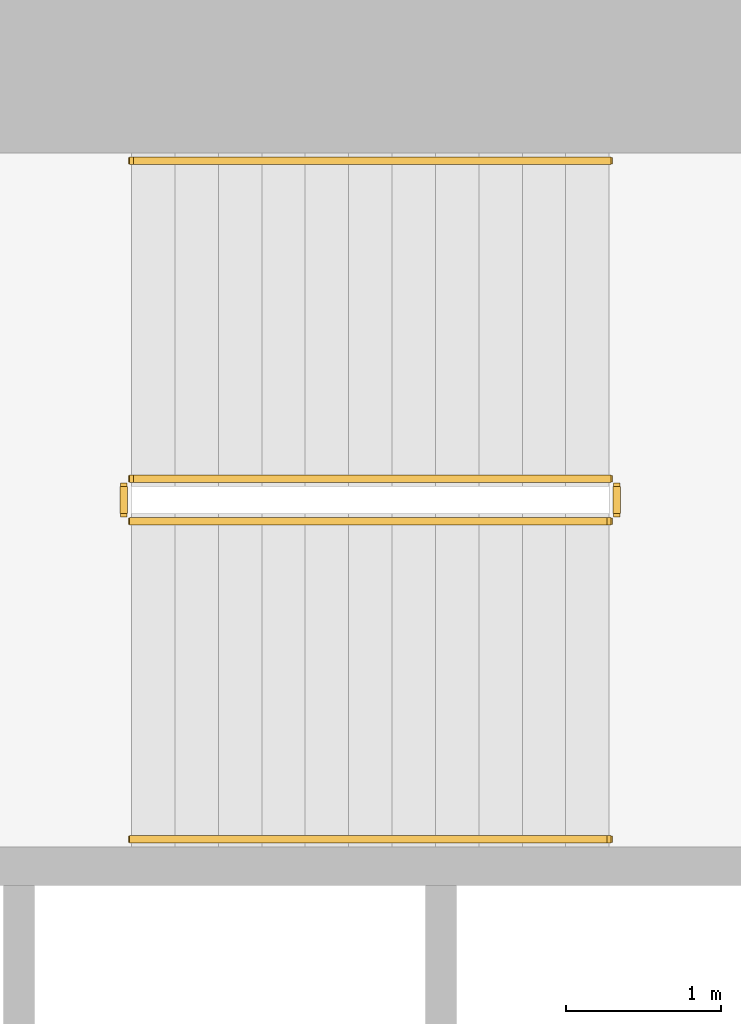
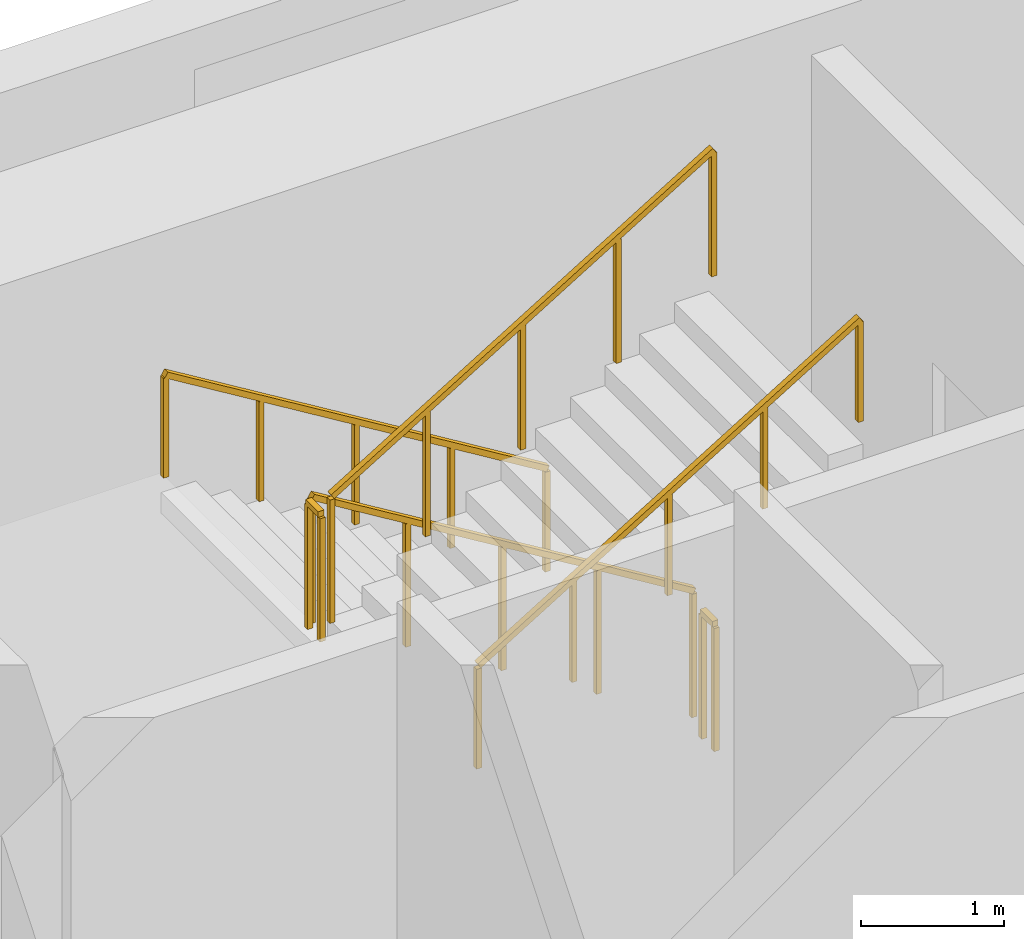
# One storey, part 13 of 14: 6 railings.
"""IFC4 building model written with IfcOpenShell, lengths in metres."""

from ifc_helpers import new_model, si_unit, direction, frame, origin, origin_2d, place, context, subcontext, project, spatial, rectangle, extrude, material, type_object, element, save


model = new_model("IFC4")

# Units and contexts
model_context = context("Model", 3, precision=1e-05, world=origin(), true_north=direction((0.0, 1.0)))
body_context = subcontext(model_context, "Body", "Model", "MODEL_VIEW")
ifc_project = project(units=[si_unit("LENGTHUNIT", "METRE"), si_unit("AREAUNIT", "SQUARE_METRE"), si_unit("VOLUMEUNIT", "CUBIC_METRE"), si_unit("PLANEANGLEUNIT", "RADIAN"), si_unit("MASSUNIT", "GRAM", prefix="KILO")], contexts=[model_context])

# Site, building, storey
site_placement = place(None, origin())
site = spatial("IfcSite", under=ifc_project, at=site_placement, CompositionType="ELEMENT")
building_placement = place(site_placement, origin())
building = spatial("IfcBuilding", under=site, at=building_placement, Name="Cypress Arch Tower", CompositionType="ELEMENT")
storey_placement = place(building_placement, frame((0.0, 0.0, 284.39990234375)))
storey = spatial("IfcBuildingStorey", under=building, at=storey_placement, Name="L64", CompositionType="ELEMENT", Elevation=284.39990234375)

# Railings
ifc_material_1 = material(Name="Black powder-coated steel square bar 48 mm", Category="steel")
railing_type_1 = type_object("IfcRailingType", Name="Stair handrail HR1", PredefinedType="HANDRAIL", material=ifc_material_1)
railing_1_placement = place(storey_placement, frame((-22.27490234375, 14.75, 0.1708984375)))
element("IfcRailing", 1, at=railing_1_placement, inside=storey, type_object=railing_type_1, Name="L64 B stair handrail 1", PredefinedType="HANDRAIL", context=body_context, shape_type="SweptSolid", body=[
    extrude(rectangle(XDim=0.048095703125, YDim=0.048095703125, at=origin_2d()), frame((0.0, 0.0, 0.8759765625), z_axis=(-0.853666305674, 0.0, 0.52082035152), x_axis=(0.0, -1.0, 0.0)), (0.0, 0.0, 1.0), 3.608154296875),
    extrude(rectangle(XDim=0.0419921875, YDim=0.0419921875, at=origin_2d()), origin(), (0.0, 0.0, 1.0), 0.851806640625),
    extrude(rectangle(XDim=0.0419921875, YDim=0.0419921875, at=origin_2d()), frame((-0.77001953125, 0.0, 0.4697265625)), (0.0, 0.0, 1.0), 0.851806640625),
    extrude(rectangle(XDim=0.0419921875, YDim=0.0419921875, at=origin_2d()), frame((-1.5400390625, 0.0, 0.939453125)), (0.0, 0.0, 1.0), 0.851806640625),
    extrude(rectangle(XDim=0.0419921875, YDim=0.0419921875, at=origin_2d()), frame((-2.31005859375, 0.0, 1.409423828125)), (0.0, 0.0, 1.0), 0.851806640625),
    extrude(rectangle(XDim=0.0419921875, YDim=0.0419921875, at=origin_2d()), frame((-3.080078125, 0.0, 1.879150390625)), (0.0, 0.0, 1.0), 0.851806640625),
])
railing_2_placement = place(storey_placement, frame((-25.35498046875, 10.375, 2.220947265625)))
element("IfcRailing", 2, at=railing_2_placement, inside=storey, type_object=railing_type_1, Name="L64 B stair handrail 2", PredefinedType="HANDRAIL", context=body_context, shape_type="SweptSolid", body=[
    extrude(rectangle(XDim=0.048095703125, YDim=0.048095703125, at=origin_2d()), frame((0.0, 0.0, 0.8759765625), z_axis=(0.853666305674, 0.0, 0.52082035152), x_axis=(0.0, 1.0, 0.0)), (0.0, 0.0, 1.0), 3.608154296875),
    extrude(rectangle(XDim=0.0419921875, YDim=0.0419921875, at=origin_2d()), origin(), (0.0, 0.0, 1.0), 0.851806640625),
    extrude(rectangle(XDim=0.0419921875, YDim=0.0419921875, at=origin_2d()), frame((0.77001953125, 0.0, 0.4697265625)), (0.0, 0.0, 1.0), 0.851806640625),
    extrude(rectangle(XDim=0.0419921875, YDim=0.0419921875, at=origin_2d()), frame((1.5400390625, 0.0, 0.939453125)), (0.0, 0.0, 1.0), 0.851806640625),
    extrude(rectangle(XDim=0.0419921875, YDim=0.0419921875, at=origin_2d()), frame((2.31005859375, 0.0, 1.409423828125)), (0.0, 0.0, 1.0), 0.851806640625),
    extrude(rectangle(XDim=0.0419921875, YDim=0.0419921875, at=origin_2d()), frame((3.080078125, 0.0, 1.879150390625)), (0.0, 0.0, 1.0), 0.851806640625),
])
ifc_material_2 = material(Name="Black powder-coated steel balusters", Category="steel")
railing_type_2 = type_object("IfcRailingType", Name="Stair well guard G1", PredefinedType="GUARDRAIL", material=ifc_material_2)
railing_3_placement = place(storey_placement, frame((-22.27490234375, 12.699951171875, 0.1708984375)))
element("IfcRailing", 3, at=railing_3_placement, inside=storey, type_object=railing_type_2, Name="L64 B stair guard 1", PredefinedType="GUARDRAIL", context=body_context, shape_type="SweptSolid", body=[
    extrude(rectangle(XDim=0.048095703125, YDim=0.048095703125, at=origin_2d()), frame((0.0, 0.0, 1.076171875), z_axis=(-0.853666305674, 0.0, 0.52082035152), x_axis=(0.0, -1.0, 0.0)), (0.0, 0.0, 1.0), 3.608154296875),
    extrude(rectangle(XDim=0.0419921875, YDim=0.0419921875, at=origin_2d()), origin(), (0.0, 0.0, 1.0), 1.052001953125),
    extrude(rectangle(XDim=0.0419921875, YDim=0.0419921875, at=origin_2d()), frame((-0.77001953125, 0.0, 0.4697265625)), (0.0, 0.0, 1.0), 1.052001953125),
    extrude(rectangle(XDim=0.0419921875, YDim=0.0419921875, at=origin_2d()), frame((-1.5400390625, 0.0, 0.939453125)), (0.0, 0.0, 1.0), 1.052001953125),
    extrude(rectangle(XDim=0.0419921875, YDim=0.0419921875, at=origin_2d()), frame((-2.31005859375, 0.0, 1.409423828125)), (0.0, 0.0, 1.0), 1.052001953125),
    extrude(rectangle(XDim=0.0419921875, YDim=0.0419921875, at=origin_2d()), frame((-3.080078125, 0.0, 1.879150390625)), (0.0, 0.0, 1.0), 1.052001953125),
])
railing_4_placement = place(storey_placement, frame((-25.405029296875, 12.64990234375, 2.050048828125)))
element("IfcRailing", 4, at=railing_4_placement, inside=storey, type_object=railing_type_2, Name="L64 B stair guard 2", PredefinedType="GUARDRAIL", context=body_context, shape_type="SweptSolid", body=[
    extrude(rectangle(XDim=0.048095703125, YDim=0.048095703125, at=origin_2d()), frame((0.0, 0.0, 1.076171875), z_axis=(0.0, -1.0, 0.0), x_axis=(1.0, 0.0, 0.0)), (0.0, 0.0, 1.0), 0.1748046875),
    extrude(rectangle(XDim=0.0419921875, YDim=0.0419921875, at=origin_2d()), origin(), (0.0, 0.0, 1.0), 1.052001953125),
    extrude(rectangle(XDim=0.0419921875, YDim=0.0419921875, at=origin_2d()), frame((0.0, -0.1748046875, 0.0)), (0.0, 0.0, 1.0), 1.052001953125),
])
railing_5_placement = place(storey_placement, frame((-25.35498046875, 12.425048828125, 2.220947265625)))
element("IfcRailing", 5, at=railing_5_placement, inside=storey, type_object=railing_type_2, Name="L64 B stair guard 3", PredefinedType="GUARDRAIL", context=body_context, shape_type="SweptSolid", body=[
    extrude(rectangle(XDim=0.048095703125, YDim=0.048095703125, at=origin_2d()), frame((0.0, 0.0, 1.076171875), z_axis=(0.853666305674, 0.0, 0.52082035152), x_axis=(0.0, 1.0, 0.0)), (0.0, 0.0, 1.0), 3.608154296875),
    extrude(rectangle(XDim=0.0419921875, YDim=0.0419921875, at=origin_2d()), origin(), (0.0, 0.0, 1.0), 1.052001953125),
    extrude(rectangle(XDim=0.0419921875, YDim=0.0419921875, at=origin_2d()), frame((0.77001953125, 0.0, 0.4697265625)), (0.0, 0.0, 1.0), 1.052001953125),
    extrude(rectangle(XDim=0.0419921875, YDim=0.0419921875, at=origin_2d()), frame((1.5400390625, 0.0, 0.939453125)), (0.0, 0.0, 1.0), 1.052001953125),
    extrude(rectangle(XDim=0.0419921875, YDim=0.0419921875, at=origin_2d()), frame((2.31005859375, 0.0, 1.409423828125)), (0.0, 0.0, 1.0), 1.052001953125),
    extrude(rectangle(XDim=0.0419921875, YDim=0.0419921875, at=origin_2d()), frame((3.080078125, 0.0, 1.879150390625)), (0.0, 0.0, 1.0), 1.052001953125),
])
railing_6_placement = place(storey_placement, frame((-22.22509765625, 12.64990234375, 0.0)))
element("IfcRailing", 6, at=railing_6_placement, inside=storey, type_object=railing_type_2, Name="L64 B stair guard 4", PredefinedType="GUARDRAIL", context=body_context, shape_type="SweptSolid", body=[
    extrude(rectangle(XDim=0.048095703125, YDim=0.048095703125, at=origin_2d()), frame((0.0, 0.0, 1.076171875), z_axis=(0.0, -1.0, 0.0), x_axis=(1.0, 0.0, 0.0)), (0.0, 0.0, 1.0), 0.1748046875),
    extrude(rectangle(XDim=0.0419921875, YDim=0.0419921875, at=origin_2d()), origin(), (0.0, 0.0, 1.0), 1.052001953125),
    extrude(rectangle(XDim=0.0419921875, YDim=0.0419921875, at=origin_2d()), frame((0.0, -0.1748046875, 0.0)), (0.0, 0.0, 1.0), 1.052001953125),
])

save(model, "model.ifc")
